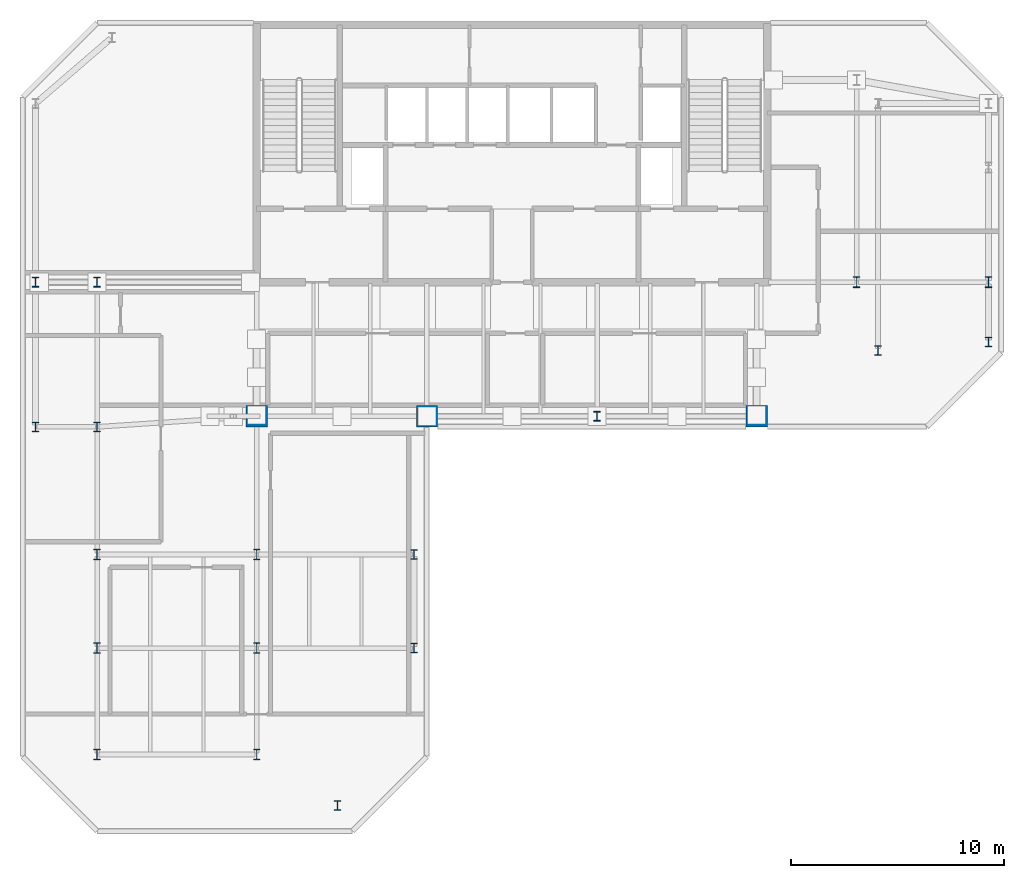
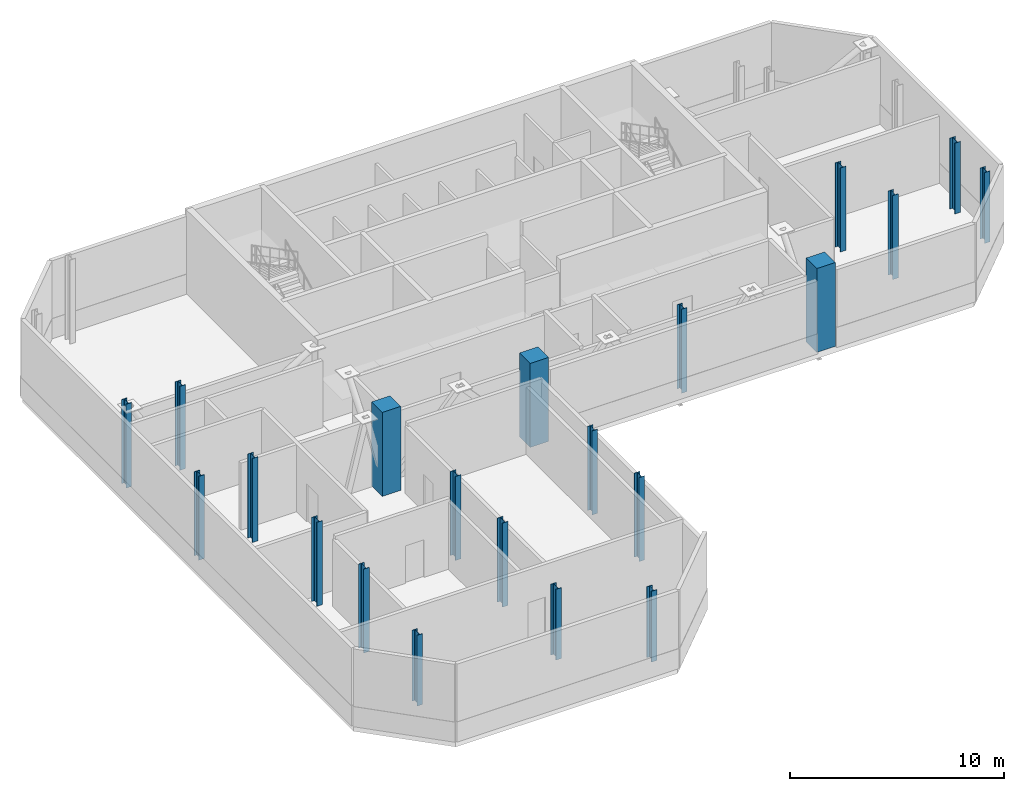
# One storey, part 1 of 7: 21 columns.
"""IFC4 building model written with IfcOpenShell, lengths in metres."""

from ifc_helpers import new_model, si_unit, direction, frame, origin, origin_2d, place, context, subcontext, project, spatial, rectangle, i_section, extrude, material, material_profile, profile_set, type_object, element, save


model = new_model("IFC4")

# Units and contexts
model_context = context("Model", 3, precision=1e-05, world=origin(), true_north=direction((0.0, 1.0)))
body_context = subcontext(model_context, "Body", "Model", "MODEL_VIEW")
ifc_project = project(units=[si_unit("LENGTHUNIT", "METRE"), si_unit("AREAUNIT", "SQUARE_METRE"), si_unit("VOLUMEUNIT", "CUBIC_METRE"), si_unit("PLANEANGLEUNIT", "RADIAN"), si_unit("MASSUNIT", "GRAM", prefix="KILO")], contexts=[model_context])

# Site, building, storey
site_placement = place(None, origin())
site = spatial("IfcSite", under=ifc_project, at=site_placement, CompositionType="ELEMENT")
building_placement = place(site_placement, origin())
building = spatial("IfcBuilding", under=site, at=building_placement, Name="Catumbela Crestline Tower", CompositionType="ELEMENT")
storey_placement = place(building_placement, frame((0.0, 0.0, 208.2)))
storey = spatial("IfcBuildingStorey", under=building, at=storey_placement, Name="L54", CompositionType="ELEMENT", Elevation=208.2)

# Columns
ifc_material_1 = material(Name="Concrete C50/60", Category="concrete")
ifc_material_profile_1 = material_profile(ifc_material_1, rectangle(XDim=1.0, YDim=1.0, at=origin_2d()), Name="RC 1000x1000")
ifc_profile_set_1 = profile_set([ifc_material_profile_1], Name="Concrete C50/60")
column_type_1 = type_object("IfcColumnType", Name="C-RC1000-C50", PredefinedType="COLUMN", material=ifc_profile_set_1)
for number, where, z_axis, x_axis, name in (
    (1, (16.0, 24.5, 0.0), (0.0, 0.0, 1.0), (1.0, 0.0, 0.0), "L54 Column C-16-24 (RC 1000x1000)"),
    (2, (24.0, 24.5, 0.0), (0.0, 0.0, 1.0), (1.0, 0.0, 0.0), "L54 Column C-24-24 (RC 1000x1000)"),
    (3, (39.5, 24.5, 0.0), (0.0, 0.0, 1.0), (1.0, 0.0, 0.0), "L54 Column C-40-24 (RC 1000x1000)"),
):
    element("IfcColumn", number, at=place(storey_placement, frame(where, z_axis=z_axis, x_axis=x_axis)), inside=storey, type_object=column_type_1, Name=name, PredefinedType="COLUMN", context=body_context, shape_type="SweptSolid", body=[
        extrude(rectangle(XDim=1.0, YDim=1.0, at=origin_2d()), origin(), (0.0, 0.0, 1.0), 4.8),
    ])
ifc_material_2 = material(Name="Structural steel S355J2", Category="steel")
ifc_material_profile_2 = material_profile(ifc_material_2, i_section(OverallWidth=0.3, OverallDepth=0.45, WebThickness=0.014, FlangeThickness=0.026, FilletRadius=0.027, at=origin_2d()), Name="HEB 450")
ifc_profile_set_2 = profile_set([ifc_material_profile_2], Name="Structural steel S355J2")
column_type_2 = type_object("IfcColumnType", Name="C-ST-HEB450", PredefinedType="COLUMN", material=ifc_profile_set_2)
for number, where, z_axis, x_axis, name in (
    (4, (8.5, 24.0, 0.0), (0.0, 0.0, 1.0), (1.0, 0.0, 0.0), "L54 Column C-08-24 (HEB 450)"),
    (5, (32.0, 24.5, 0.0), (0.0, 0.0, 1.0), (1.0, 0.0, 0.0), "L54 Column C-32-24 (HEB 450)"),
    (6, (5.6, 24.0, 0.0), (0.0, 0.0, 1.0), (1.0, 0.0, 0.0), "L54 Column C-05-24 (HEB 450)"),
    (7, (5.6, 30.8, 0.0), (0.0, 0.0, 1.0), (1.0, 0.0, 0.0), "L54 Column C-05-31 (HEB 450)"),
    (8, (8.5, 30.8, 0.0), (0.0, 0.0, 1.0), (1.0, 0.0, 0.0), "L54 Column C-08-31 (HEB 450)"),
    (9, (45.2, 27.6, 0.0), (0.0, 0.0, 1.0), (1.0, 0.0, 0.0), "L54 Column C-46-24 (HEB 450)"),
):
    element("IfcColumn", number, at=place(storey_placement, frame(where, z_axis=z_axis, x_axis=x_axis)), inside=storey, type_object=column_type_2, Name=name, PredefinedType="COLUMN", context=body_context, shape_type="SweptSolid", body=[
        extrude(i_section(OverallWidth=0.3, OverallDepth=0.45, WebThickness=0.014, FlangeThickness=0.026, FilletRadius=0.027, at=origin_2d()), origin(), (0.0, 0.0, 1.0), 4.8),
    ])
for number, where, z_axis, x_axis, name in (
    (10, (50.4, 28.0, 0.0), (0.0, 0.0, 1.0), (1.0, 0.0, 0.0), "L54 Column C-51-24 (HEB 450)"),
    (11, (19.8, 6.2, 0.0), (0.0, 0.0, 1.0), (1.0, 0.0, 0.0), "L54 Column C-24-05 (HEB 450)"),
):
    element("IfcColumn", number, at=place(storey_placement, frame(where, z_axis=z_axis, x_axis=x_axis)), inside=storey, type_object=column_type_2, Name=name, PredefinedType="COLUMN", context=body_context, shape_type="SweptSolid", body=[
        extrude(i_section(OverallWidth=0.3, OverallDepth=0.45, WebThickness=0.014, FlangeThickness=0.026, FilletRadius=0.027, at=origin_2d()), origin(), (0.0, 0.0, 1.0), 4.05),
    ])
for number, where, z_axis, x_axis, name in (
    (12, (23.4, 13.6, 0.0), (0.0, 0.0, 1.0), (1.0, 0.0, 0.0), "L54 Column C-24-10 (HEB 450)"),
    (13, (23.4, 18.0, 0.0), (0.0, 0.0, 1.0), (1.0, 0.0, 0.0), "L54 Column C-24-16 (HEB 450)"),
):
    element("IfcColumn", number, at=place(storey_placement, frame(where, z_axis=z_axis, x_axis=x_axis)), inside=storey, type_object=column_type_2, Name=name, PredefinedType="COLUMN", context=body_context, shape_type="SweptSolid", body=[
        extrude(i_section(OverallWidth=0.3, OverallDepth=0.45, WebThickness=0.014, FlangeThickness=0.026, FilletRadius=0.027, at=origin_2d()), origin(), (0.0, 0.0, 1.0), 4.8),
    ])
ifc_material_profile_3 = material_profile(ifc_material_2, i_section(OverallWidth=0.3, OverallDepth=0.5, WebThickness=0.0145, FlangeThickness=0.028, FilletRadius=0.027, at=origin_2d()), Name="HEB 500")
ifc_profile_set_3 = profile_set([ifc_material_profile_3], Name="Structural steel S355J2")
column_type_3 = type_object("IfcColumnType", Name="C-ST-HEB500", PredefinedType="COLUMN", material=ifc_profile_set_3)
for number, where, z_axis, x_axis, name in (
    (14, (8.5, 8.6, 0.0), (0.0, 0.0, 1.0), (1.0, 0.0, 0.0), "L54 Column CT-05-05 (HEB 500)"),
    (15, (16.0, 8.6, 0.0), (0.0, 0.0, 1.0), (1.0, 0.0, 0.0), "L54 Column CT-14-05 (HEB 500)"),
):
    element("IfcColumn", number, at=place(storey_placement, frame(where, z_axis=z_axis, x_axis=x_axis)), inside=storey, type_object=column_type_3, Name=name, PredefinedType="COLUMN", context=body_context, shape_type="SweptSolid", body=[
        extrude(i_section(OverallWidth=0.3, OverallDepth=0.5, WebThickness=0.0145, FlangeThickness=0.028, FilletRadius=0.027, at=origin_2d()), origin(), (0.0, 0.0, 1.0), 4.05),
    ])
for number, where, z_axis, x_axis, name in (
    (16, (8.5, 13.6, 0.0), (0.0, 0.0, 1.0), (1.0, 0.0, 0.0), "L54 Column CT-05-10 (HEB 500)"),
    (17, (16.0, 13.6, 0.0), (0.0, 0.0, 1.0), (1.0, 0.0, 0.0), "L54 Column CT-14-10 (HEB 500)"),
    (18, (8.5, 18.0, 0.0), (0.0, 0.0, 1.0), (1.0, 0.0, 0.0), "L54 Column CT-05-16 (HEB 500)"),
    (19, (16.0, 18.0, 0.0), (0.0, 0.0, 1.0), (1.0, 0.0, 0.0), "L54 Column CT-14-16 (HEB 500)"),
    (20, (44.2, 30.8, 0.0), (0.0, 0.0, 1.0), (1.0, 0.0, 0.0), "L54 Column CT-46-31 (HEB 500)"),
):
    element("IfcColumn", number, at=place(storey_placement, frame(where, z_axis=z_axis, x_axis=x_axis)), inside=storey, type_object=column_type_3, Name=name, PredefinedType="COLUMN", context=body_context, shape_type="SweptSolid", body=[
        extrude(i_section(OverallWidth=0.3, OverallDepth=0.5, WebThickness=0.0145, FlangeThickness=0.028, FilletRadius=0.027, at=origin_2d()), origin(), (0.0, 0.0, 1.0), 4.8),
    ])
column_placement = place(storey_placement, frame((50.4, 30.8, 0.0), z_axis=(0.0, 0.0, 1.0), x_axis=(1.0, 0.0, 0.0)))
element("IfcColumn", 21, at=column_placement, inside=storey, type_object=column_type_3, Name="L54 Column CT-51-31 (HEB 500)", PredefinedType="COLUMN", context=body_context, shape_type="SweptSolid", body=[
    extrude(i_section(OverallWidth=0.3, OverallDepth=0.5, WebThickness=0.0145, FlangeThickness=0.028, FilletRadius=0.027, at=origin_2d()), origin(), (0.0, 0.0, 1.0), 4.05),
])

save(model, "model.ifc")
